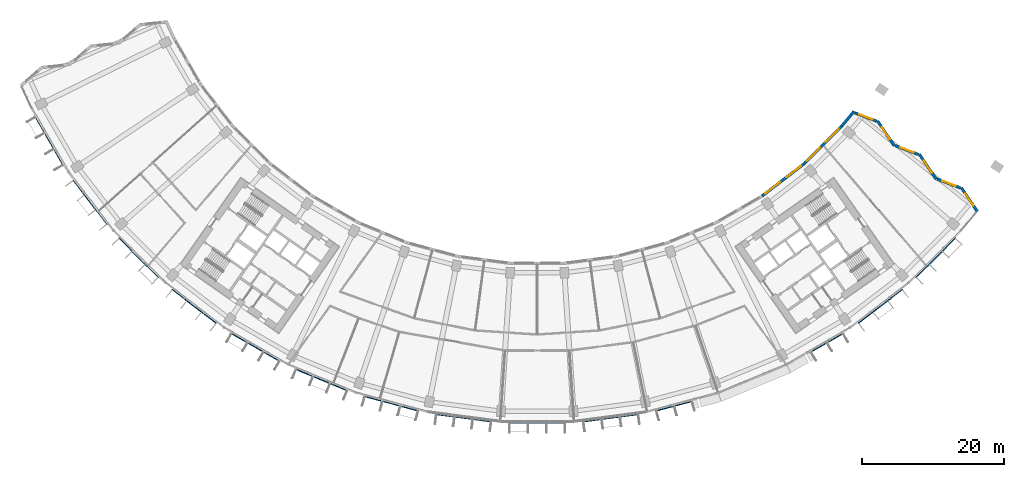
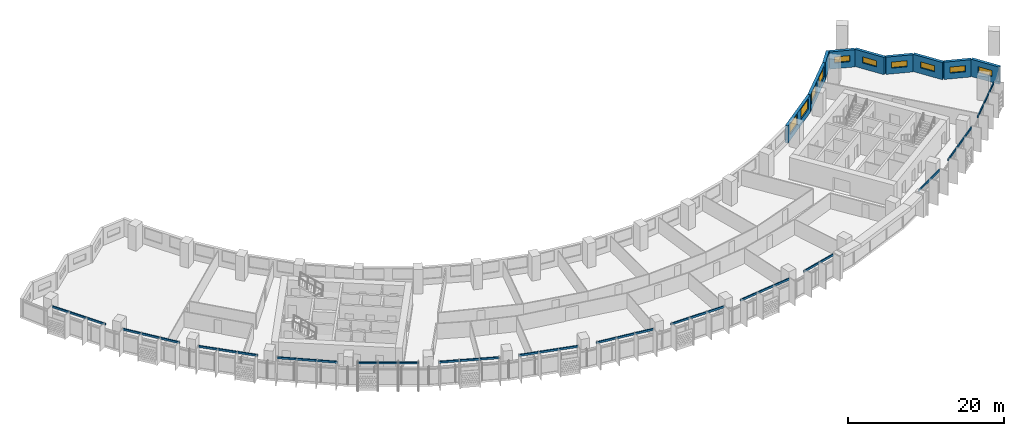
# One storey, part 8 of 28: 14 discrete accessories, 10 windows, 9 walls, 10 openings.
"""IFC4 building model written with IfcOpenShell, lengths in metres."""

from ifc_helpers import new_model, si_unit, direction, frame, frame_2d, origin, origin_2d, place, context, subcontext, project, spatial, rectangle, extrude, material, layer, layer_set, type_object, element, fill, save


model = new_model("IFC4")

# Units and contexts
model_context = context("Model", 3, precision=1e-05, world=origin(), true_north=direction((0.0, 1.0)))
body_context = subcontext(model_context, "Body", "Model", "MODEL_VIEW")
ifc_project = project(units=[si_unit("LENGTHUNIT", "METRE"), si_unit("AREAUNIT", "SQUARE_METRE"), si_unit("VOLUMEUNIT", "CUBIC_METRE"), si_unit("PLANEANGLEUNIT", "RADIAN"), si_unit("MASSUNIT", "GRAM", prefix="KILO")], contexts=[model_context])

# Site, building, storey
site_placement = place(None, origin())
site = spatial("IfcSite", under=ifc_project, at=site_placement, CompositionType="ELEMENT")
building_placement = place(site_placement, origin())
building = spatial("IfcBuilding", under=site, at=building_placement, Name="Qamariyya Broadcast Tower", CompositionType="ELEMENT")
storey_placement = place(building_placement, frame((0.0, 0.0, 140.5)))
storey = spatial("IfcBuildingStorey", under=building, at=storey_placement, Name="L32", CompositionType="ELEMENT", Elevation=140.5)

# Wall, opening, window
ifc_material_1 = material(Name="Terracotta", Category="masonry")
ifc_layer = layer(ifc_material_1, 0.39990234375)
ifc_layer_set = layer_set([ifc_layer], Name="Terracotta clad wall 400")
wall_type = type_object("IfcWallType", Name="Terracotta clad wall 400", PredefinedType="SOLIDWALL", material=ifc_layer_set)
wall_1_placement = place(storey_placement, frame((61.865966796875, -49.512939453125, 0.0), z_axis=(0.0, 0.0, 1.0), x_axis=(-0.556832079566, 0.830625087008, 0.0)))
wall_1 = element("IfcWall", 1, at=wall_1_placement, inside=storey, type_object=wall_type, Name="e-wl-L32-capE0", PredefinedType="SOLIDWALL", context=body_context, shape_type="SweptSolid", body=[
    extrude(rectangle(XDim=4.013427734375, YDim=0.39990234375, at=frame_2d((2.0068359375, 0.0))), origin(), (0.0, 0.0, 1.0), 2.699951171875),
])
opening_1_placement = place(wall_1_placement, frame((1.0068359375, 0.0, 0.89990234375)))
opening_1 = element("IfcOpeningElement", 2, at=opening_1_placement, cuts=wall_1, Name="Opening W4", PredefinedType="OPENING", context=body_context, shape_type="SweptSolid", body=[
    extrude(rectangle(XDim=2.0, YDim=0.949951171875, at=frame_2d((1.0, 0.47509765625))), frame((0.0, 0.2099609375, 0.0), z_axis=(0.0, -1.0, 0.0), x_axis=(1.0, 0.0, 0.0)), (0.0, 0.0, 1.0), 0.419921875),
])
ifc_material_2 = material(Name="Clear low-e double glazed unit in aluminium frame", Category="aluminium")
window_type_1 = type_object("IfcWindowType", Name="Horn bay window 2000 x 950", PartitioningType="SINGLE_PANEL", PredefinedType="WINDOW", material=ifc_material_2)
window_1_placement = place(opening_1_placement, origin())
window_1 = element("IfcWindow", 3, at=window_1_placement, inside=storey, type_object=window_type_1, Name="e-w-L32-capE0", OverallHeight=0.949951171875, OverallWidth=2.0, PartitioningType="SINGLE_PANEL", PredefinedType="WINDOW", context=body_context, shape_type="SweptSolid", body=[
    extrude(rectangle(XDim=2.0, YDim=0.949951171875, at=frame_2d((1.0, 0.47509765625))), frame((0.0, 0.030029296875, 0.0), z_axis=(0.0, -1.0, 0.0), x_axis=(1.0, 0.0, 0.0)), (0.0, 0.0, 1.0), 0.06005859375),
])
fill(opening_1, window_1)

wall_2_placement = place(storey_placement, frame((59.49951171875, -46.200439453125, 0.0), z_axis=(0.0, 0.0, 1.0), x_axis=(-0.934674089314, 0.35550576193, 0.0)))
wall_2 = element("IfcWall", 4, at=wall_2_placement, inside=storey, type_object=wall_type, Name="e-wl-L32-capE1", PredefinedType="SOLIDWALL", context=body_context, shape_type="SweptSolid", body=[
    extrude(rectangle(XDim=3.525634765625, YDim=0.39990234375, at=frame_2d((1.7626953125, 0.0))), origin(), (0.0, 0.0, 1.0), 2.699951171875),
])
opening_2_placement = place(wall_2_placement, frame((0.762939453125, 0.0, 0.89990234375)))
opening_2 = element("IfcOpeningElement", 5, at=opening_2_placement, cuts=wall_2, Name="Opening W4", PredefinedType="OPENING", context=body_context, shape_type="SweptSolid", body=[
    extrude(rectangle(XDim=2.0, YDim=0.949951171875, at=frame_2d((1.0, 0.47509765625))), frame((0.0, 0.2099609375, 0.0), z_axis=(0.0, -1.0, 0.0), x_axis=(1.0, 0.0, 0.0)), (0.0, 0.0, 1.0), 0.419921875),
])
window_2_placement = place(opening_2_placement, origin())
window_2 = element("IfcWindow", 6, at=window_2_placement, inside=storey, type_object=window_type_1, Name="e-w-L32-capE1", OverallHeight=0.949951171875, OverallWidth=2.0, PartitioningType="SINGLE_PANEL", PredefinedType="WINDOW", context=body_context, shape_type="SweptSolid", body=[
    extrude(rectangle(XDim=2.0, YDim=0.949951171875, at=frame_2d((1.0, 0.47509765625))), frame((0.0, 0.030029296875, 0.0), z_axis=(0.0, -1.0, 0.0), x_axis=(1.0, 0.0, 0.0)), (0.0, 0.0, 1.0), 0.06005859375),
])
fill(opening_2, window_2)

wall_3_placement = place(storey_placement, frame((56.072509765625, -44.96826171875, 0.0), z_axis=(0.0, 0.0, 1.0), x_axis=(-0.556915228544, 0.8305693398, 0.0)))
wall_3 = element("IfcWall", 7, at=wall_3_placement, inside=storey, type_object=wall_type, Name="e-wl-L32-capE2", PredefinedType="SOLIDWALL", context=body_context, shape_type="SweptSolid", body=[
    extrude(rectangle(XDim=4.193115234375, YDim=0.39990234375, at=frame_2d((2.0966796875, 0.0))), origin(), (0.0, 0.0, 1.0), 2.699951171875),
])
opening_3_placement = place(wall_3_placement, frame((1.0966796875, 0.0, 0.89990234375)))
opening_3 = element("IfcOpeningElement", 8, at=opening_3_placement, cuts=wall_3, Name="Opening W4", PredefinedType="OPENING", context=body_context, shape_type="SweptSolid", body=[
    extrude(rectangle(XDim=2.0, YDim=0.949951171875, at=frame_2d((1.0, 0.47509765625))), frame((0.0, 0.2099609375, 0.0), z_axis=(0.0, -1.0, 0.0), x_axis=(1.0, 0.0, 0.0)), (0.0, 0.0, 1.0), 0.419921875),
])
window_3_placement = place(opening_3_placement, origin())
window_3 = element("IfcWindow", 9, at=window_3_placement, inside=storey, type_object=window_type_1, Name="e-w-L32-capE2", OverallHeight=0.949951171875, OverallWidth=2.0, PartitioningType="SINGLE_PANEL", PredefinedType="WINDOW", context=body_context, shape_type="SweptSolid", body=[
    extrude(rectangle(XDim=2.0, YDim=0.949951171875, at=frame_2d((1.0, 0.47509765625))), frame((0.0, 0.030029296875, 0.0), z_axis=(0.0, -1.0, 0.0), x_axis=(1.0, 0.0, 0.0)), (0.0, 0.0, 1.0), 0.06005859375),
])
fill(opening_3, window_3)

wall_4_placement = place(storey_placement, frame((53.605712890625, -41.506591796875, 0.0), z_axis=(0.0, 0.0, 1.0), x_axis=(-0.934739873938, 0.355332756821, 0.0)))
wall_4 = element("IfcWall", 10, at=wall_4_placement, inside=storey, type_object=wall_type, Name="e-wl-L32-capE3", PredefinedType="SOLIDWALL", context=body_context, shape_type="SweptSolid", body=[
    extrude(rectangle(XDim=3.524658203125, YDim=0.39990234375, at=frame_2d((1.76220703125, 0.0))), origin(), (0.0, 0.0, 1.0), 2.699951171875),
])
opening_4_placement = place(wall_4_placement, frame((0.762451171875, 0.0, 0.89990234375)))
opening_4 = element("IfcOpeningElement", 11, at=opening_4_placement, cuts=wall_4, Name="Opening W4", PredefinedType="OPENING", context=body_context, shape_type="SweptSolid", body=[
    extrude(rectangle(XDim=2.0, YDim=0.949951171875, at=frame_2d((1.0, 0.47509765625))), frame((0.0, 0.2099609375, 0.0), z_axis=(0.0, -1.0, 0.0), x_axis=(1.0, 0.0, 0.0)), (0.0, 0.0, 1.0), 0.419921875),
])
window_4_placement = place(opening_4_placement, origin())
window_4 = element("IfcWindow", 12, at=window_4_placement, inside=storey, type_object=window_type_1, Name="e-w-L32-capE3", OverallHeight=0.949951171875, OverallWidth=2.0, PartitioningType="SINGLE_PANEL", PredefinedType="WINDOW", context=body_context, shape_type="SweptSolid", body=[
    extrude(rectangle(XDim=2.0, YDim=0.949951171875, at=frame_2d((1.0, 0.47509765625))), frame((0.0, 0.030029296875, 0.0), z_axis=(0.0, -1.0, 0.0), x_axis=(1.0, 0.0, 0.0)), (0.0, 0.0, 1.0), 0.06005859375),
])
fill(opening_4, window_4)

wall_5_placement = place(storey_placement, frame((50.1796875, -40.275146484375, 0.0), z_axis=(0.0, 0.0, 1.0), x_axis=(-0.557035218537, 0.830488871274, 0.0)))
wall_5 = element("IfcWall", 13, at=wall_5_placement, inside=storey, type_object=wall_type, Name="e-wl-L32-capE4", PredefinedType="SOLIDWALL", context=body_context, shape_type="SweptSolid", body=[
    extrude(rectangle(XDim=4.1943359375, YDim=0.39990234375, at=frame_2d((2.09716796875, 0.0))), origin(), (0.0, 0.0, 1.0), 2.699951171875),
])
opening_5_placement = place(wall_5_placement, frame((1.09716796875, 0.0, 0.89990234375)))
opening_5 = element("IfcOpeningElement", 14, at=opening_5_placement, cuts=wall_5, Name="Opening W4", PredefinedType="OPENING", context=body_context, shape_type="SweptSolid", body=[
    extrude(rectangle(XDim=2.0, YDim=0.949951171875, at=frame_2d((1.0, 0.47509765625))), frame((0.0, 0.2099609375, 0.0), z_axis=(0.0, -1.0, 0.0), x_axis=(1.0, 0.0, 0.0)), (0.0, 0.0, 1.0), 0.419921875),
])
window_5_placement = place(opening_5_placement, origin())
window_5 = element("IfcWindow", 15, at=window_5_placement, inside=storey, type_object=window_type_1, Name="e-w-L32-capE4", OverallHeight=0.949951171875, OverallWidth=2.0, PartitioningType="SINGLE_PANEL", PredefinedType="WINDOW", context=body_context, shape_type="SweptSolid", body=[
    extrude(rectangle(XDim=2.0, YDim=0.949951171875, at=frame_2d((1.0, 0.47509765625))), frame((0.0, 0.030029296875, 0.0), z_axis=(0.0, -1.0, 0.0), x_axis=(1.0, 0.0, 0.0)), (0.0, 0.0, 1.0), 0.06005859375),
])
fill(opening_5, window_5)

wall_6_placement = place(storey_placement, frame((47.7119140625, -36.812744140625, 0.0), z_axis=(0.0, 0.0, 1.0), x_axis=(-0.934782590643, 0.355220365732, 0.0)))
wall_6 = element("IfcWall", 16, at=wall_6_placement, inside=storey, type_object=wall_type, Name="e-wl-L32-capE5", PredefinedType="SOLIDWALL", context=body_context, shape_type="SweptSolid", body=[
    extrude(rectangle(XDim=3.275634765625, YDim=0.39990234375, at=frame_2d((1.6376953125, 0.0))), origin(), (0.0, 0.0, 1.0), 2.699951171875),
])
opening_6_placement = place(wall_6_placement, frame((0.6376953125, 0.0, 0.89990234375)))
opening_6 = element("IfcOpeningElement", 17, at=opening_6_placement, cuts=wall_6, Name="Opening W4", PredefinedType="OPENING", context=body_context, shape_type="SweptSolid", body=[
    extrude(rectangle(XDim=2.0, YDim=0.949951171875, at=frame_2d((1.0, 0.47509765625))), frame((0.0, 0.2099609375, 0.0), z_axis=(0.0, -1.0, 0.0), x_axis=(1.0, 0.0, 0.0)), (0.0, 0.0, 1.0), 0.419921875),
])
window_6_placement = place(opening_6_placement, origin())
window_6 = element("IfcWindow", 18, at=window_6_placement, inside=storey, type_object=window_type_1, Name="e-w-L32-capE5", OverallHeight=0.949951171875, OverallWidth=2.0, PartitioningType="SINGLE_PANEL", PredefinedType="WINDOW", context=body_context, shape_type="SweptSolid", body=[
    extrude(rectangle(XDim=2.0, YDim=0.949951171875, at=frame_2d((1.0, 0.47509765625))), frame((0.0, 0.030029296875, 0.0), z_axis=(0.0, -1.0, 0.0), x_axis=(1.0, 0.0, 0.0)), (0.0, 0.0, 1.0), 0.06005859375),
])
fill(opening_6, window_6)

# Wall, openings, windows
wall_7_placement = place(storey_placement, frame((37.536865234375, -42.764892578125, 0.0), z_axis=(0.0, 0.0, 1.0), x_axis=(-0.793363487476, -0.608748204711, 0.0)))
wall_7 = element("IfcWall", 19, at=wall_7_placement, inside=storey, type_object=wall_type, Name="e-wl-L32-in140", PredefinedType="SOLIDWALL", context=body_context, shape_type="SweptSolid", body=[
    extrude(rectangle(XDim=7.492919921875, YDim=0.39990234375, at=frame_2d((3.74658203125, 0.0))), origin(), (0.0, 0.0, 1.0), 2.699951171875),
])
opening_7_placement = place(wall_7_placement, frame((4.300537109375, 0.0, 0.89990234375)))
opening_7 = element("IfcOpeningElement", 20, at=opening_7_placement, cuts=wall_7, Name="Opening W1", PredefinedType="OPENING", context=body_context, shape_type="SweptSolid", body=[
    extrude(rectangle(XDim=2.60009765625, YDim=1.64990234375, at=frame_2d((1.300048828125, 0.824951171875))), frame((0.0, 0.2099609375, 0.0), z_axis=(0.0, -1.0, 0.0), x_axis=(1.0, 0.0, 0.0)), (0.0, 0.0, 1.0), 0.419921875),
])
opening_8_placement = place(wall_7_placement, frame((0.59228515625, 0.0, 0.89990234375)))
opening_8 = element("IfcOpeningElement", 21, at=opening_8_placement, cuts=wall_7, Name="Opening W1", PredefinedType="OPENING", context=body_context, shape_type="SweptSolid", body=[
    extrude(rectangle(XDim=2.60009765625, YDim=1.64990234375, at=frame_2d((1.300048828125, 0.824951171875))), frame((0.0, 0.2099609375, 0.0), z_axis=(0.0, -1.0, 0.0), x_axis=(1.0, 0.0, 0.0)), (0.0, 0.0, 1.0), 0.419921875),
])
window_type_2 = type_object("IfcWindowType", Name="Ribbon window 2600 x 1650", PartitioningType="SINGLE_PANEL", PredefinedType="WINDOW", material=ifc_material_2)
window_7_placement = place(opening_7_placement, origin())
window_7 = element("IfcWindow", 22, at=window_7_placement, inside=storey, type_object=window_type_2, Name="e-w-L32-in14-0", OverallHeight=1.64990234375, OverallWidth=2.60009765625, PartitioningType="SINGLE_PANEL", PredefinedType="WINDOW", context=body_context, shape_type="SweptSolid", body=[
    extrude(rectangle(XDim=2.60009765625, YDim=1.64990234375, at=frame_2d((1.300048828125, 0.824951171875))), frame((0.0, 0.030029296875, 0.0), z_axis=(0.0, -1.0, 0.0), x_axis=(1.0, 0.0, 0.0)), (0.0, 0.0, 1.0), 0.06005859375),
])
fill(opening_7, window_7)
window_8_placement = place(opening_8_placement, origin())
window_8 = element("IfcWindow", 23, at=window_8_placement, inside=storey, type_object=window_type_2, Name="e-w-L32-in14-1", OverallHeight=1.64990234375, OverallWidth=2.60009765625, PartitioningType="SINGLE_PANEL", PredefinedType="WINDOW", context=body_context, shape_type="SweptSolid", body=[
    extrude(rectangle(XDim=2.60009765625, YDim=1.64990234375, at=frame_2d((1.300048828125, 0.824951171875))), frame((0.0, 0.030029296875, 0.0), z_axis=(0.0, -1.0, 0.0), x_axis=(1.0, 0.0, 0.0)), (0.0, 0.0, 1.0), 0.06005859375),
])
fill(opening_8, window_8)

wall_8_placement = place(storey_placement, frame((42.75390625, -37.54296875, 0.0), z_axis=(0.0, 0.0, 1.0), x_axis=(-0.707090184968, -0.707123377015, 0.0)))
wall_8 = element("IfcWall", 24, at=wall_8_placement, inside=storey, type_object=wall_type, Name="e-wl-L32-in150", PredefinedType="SOLIDWALL", context=body_context, shape_type="SweptSolid", body=[
    extrude(rectangle(XDim=7.35546875, YDim=0.39990234375, at=frame_2d((3.677734375, 0.0))), origin(), (0.0, 0.0, 1.0), 2.699951171875),
])
opening_9_placement = place(wall_8_placement, frame((4.23876953125, 0.0, 0.89990234375)))
opening_9 = element("IfcOpeningElement", 25, at=opening_9_placement, cuts=wall_8, Name="Opening W1", PredefinedType="OPENING", context=body_context, shape_type="SweptSolid", body=[
    extrude(rectangle(XDim=2.60009765625, YDim=1.64990234375, at=frame_2d((1.300048828125, 0.824951171875))), frame((0.0, 0.2099609375, 0.0), z_axis=(0.0, -1.0, 0.0), x_axis=(1.0, 0.0, 0.0)), (0.0, 0.0, 1.0), 0.419921875),
])
opening_10_placement = place(wall_8_placement, frame((0.530517578125, 0.0, 0.89990234375)))
opening_10 = element("IfcOpeningElement", 26, at=opening_10_placement, cuts=wall_8, Name="Opening W1", PredefinedType="OPENING", context=body_context, shape_type="SweptSolid", body=[
    extrude(rectangle(XDim=2.60009765625, YDim=1.64990234375, at=frame_2d((1.300048828125, 0.824951171875))), frame((0.0, 0.2099609375, 0.0), z_axis=(0.0, -1.0, 0.0), x_axis=(1.0, 0.0, 0.0)), (0.0, 0.0, 1.0), 0.419921875),
])
window_9_placement = place(opening_9_placement, origin())
window_9 = element("IfcWindow", 27, at=window_9_placement, inside=storey, type_object=window_type_2, Name="e-w-L32-in15-0", OverallHeight=1.64990234375, OverallWidth=2.60009765625, PartitioningType="SINGLE_PANEL", PredefinedType="WINDOW", context=body_context, shape_type="SweptSolid", body=[
    extrude(rectangle(XDim=2.60009765625, YDim=1.64990234375, at=frame_2d((1.300048828125, 0.824951171875))), frame((0.0, 0.030029296875, 0.0), z_axis=(0.0, -1.0, 0.0), x_axis=(1.0, 0.0, 0.0)), (0.0, 0.0, 1.0), 0.06005859375),
])
fill(opening_9, window_9)
window_10_placement = place(opening_10_placement, origin())
window_10 = element("IfcWindow", 28, at=window_10_placement, inside=storey, type_object=window_type_2, Name="e-w-L32-in15-1", OverallHeight=1.64990234375, OverallWidth=2.60009765625, PartitioningType="SINGLE_PANEL", PredefinedType="WINDOW", context=body_context, shape_type="SweptSolid", body=[
    extrude(rectangle(XDim=2.60009765625, YDim=1.64990234375, at=frame_2d((1.300048828125, 0.824951171875))), frame((0.0, 0.030029296875, 0.0), z_axis=(0.0, -1.0, 0.0), x_axis=(1.0, 0.0, 0.0)), (0.0, 0.0, 1.0), 0.06005859375),
])
fill(opening_10, window_10)

# Wall
wall_9_placement = place(storey_placement, frame((44.537353515625, -35.4140625, 0.0), z_axis=(0.0, 0.0, 1.0), x_axis=(-0.641358326767, -0.767241485249, 0.0)))
element("IfcWall", 29, at=wall_9_placement, inside=storey, type_object=wall_type, Name="e-wl-L32-in160", PredefinedType="SOLIDWALL", context=body_context, shape_type="SweptSolid", body=[
    extrude(rectangle(XDim=2.759765625, YDim=0.39990234375, at=frame_2d((1.3798828125, 0.0))), origin(), (0.0, 0.0, 1.0), 2.699951171875),
])

# Discrete accessories
ifc_material_3 = material(Name="Stainless steel 316", Category="steel")
discrete_accessory_type = type_object("IfcDiscreteAccessoryType", Name="Slab edge fixing angle, stainless steel", PredefinedType="BRACKET", material=ifc_material_3)
for number, where, z_axis, x_axis, name in (
    (30, (-68.59375, -39.6025390625, 3.2998046875), (0.0, 0.0, 1.0), (0.5, -0.866025403784, 0.0), "e-br-L32-01-0"),
    (31, (-62.837646484375, -48.217041015625, 3.2998046875), (0.0, 0.0, 1.0), (0.608761429009, -0.793353340291, 0.0), "e-br-L32-02-0"),
    (32, (-56.006591796875, -56.006591796875, 3.2998046875), (0.0, 0.0, 1.0), (0.707106781187, -0.707106781187, 0.0), "e-br-L32-03-0"),
    (33, (-48.217041015625, -62.837646484375, 3.2998046875), (0.0, 0.0, 1.0), (0.793353340291, -0.608761429009, 0.0), "e-br-L32-04-0"),
    (34, (-39.6025390625, -68.59375, 3.2998046875), (0.0, 0.0, 1.0), (0.866025403784, -0.5, 0.0), "e-br-L32-05-0"),
    (35, (-30.310546875, -73.176025390625, 3.2998046875), (0.0, 0.0, 1.0), (0.923879532511, -0.382683432365, 0.0), "e-br-L32-06-0"),
    (36, (-20.499755859375, -76.50634765625, 3.2998046875), (0.0, 0.0, 1.0), (0.965925826289, -0.258819045103, 0.0), "e-br-L32-07-0"),
    (37, (-10.33837890625, -78.527587890625, 3.2998046875), (0.0, 0.0, 1.0), (0.991444861374, -0.13052619222, 0.0), "e-br-L32-08-0"),
    (38, (0.0, -79.205322265625, 3.2998046875), (0.0, 0.0, 1.0), (1.0, 0.0, 0.0), "e-br-L32-09-0"),
    (39, (10.33837890625, -78.527587890625, 3.2998046875), (0.0, 0.0, 1.0), (0.991444861374, 0.13052619222, 0.0), "e-br-L32-10-0"),
):
    element("IfcDiscreteAccessory", number, at=place(storey_placement, frame(where, z_axis=z_axis, x_axis=x_axis)), inside=storey, type_object=discrete_accessory_type, Name=name, PredefinedType="BRACKET", context=body_context, shape_type="SweptSolid", body=[
        extrude(rectangle(XDim=7.879638671875, YDim=0.14990234375, at=origin_2d()), origin(), (0.0, 0.0, 1.0), 0.300048828125),
    ])
for number, where, z_axis, x_axis, name in (
    (40, (19.247314453125, -76.842041015625, 3.2998046875), (0.0, 0.0, 1.0), (0.965925826289, 0.258819045103, 0.0), "e-br-L32-11-0"),
    (41, (40.7255859375, -67.9453125, 3.2998046875), (0.0, 0.0, 1.0), (0.866025403784, 0.5, 0.0), "e-br-L32-13-0"),
):
    element("IfcDiscreteAccessory", number, at=place(storey_placement, frame(where, z_axis=z_axis, x_axis=x_axis)), inside=storey, type_object=discrete_accessory_type, Name=name, PredefinedType="BRACKET", context=body_context, shape_type="SweptSolid", body=[
        extrude(rectangle(XDim=5.286376953125, YDim=0.14990234375, at=origin_2d()), origin(), (0.0, 0.0, 1.0), 0.300048828125),
    ])
for number, where, z_axis, x_axis, name in (
    (42, (48.217041015625, -62.837646484375, 3.2998046875), (0.0, 0.0, 1.0), (0.793353340291, 0.608761429009, 0.0), "e-br-L32-14-0"),
    (43, (56.006591796875, -56.006591796875, 3.2998046875), (0.0, 0.0, 1.0), (0.707106781187, 0.707106781187, 0.0), "e-br-L32-15-0"),
):
    element("IfcDiscreteAccessory", number, at=place(storey_placement, frame(where, z_axis=z_axis, x_axis=x_axis)), inside=storey, type_object=discrete_accessory_type, Name=name, PredefinedType="BRACKET", context=body_context, shape_type="SweptSolid", body=[
        extrude(rectangle(XDim=7.879638671875, YDim=0.14990234375, at=origin_2d()), origin(), (0.0, 0.0, 1.0), 0.300048828125),
    ])

save(model, "model.ifc")
